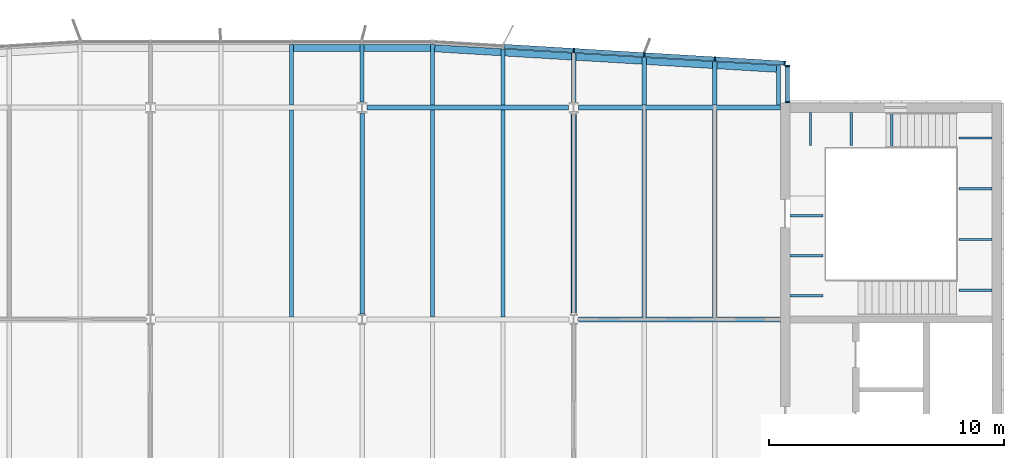
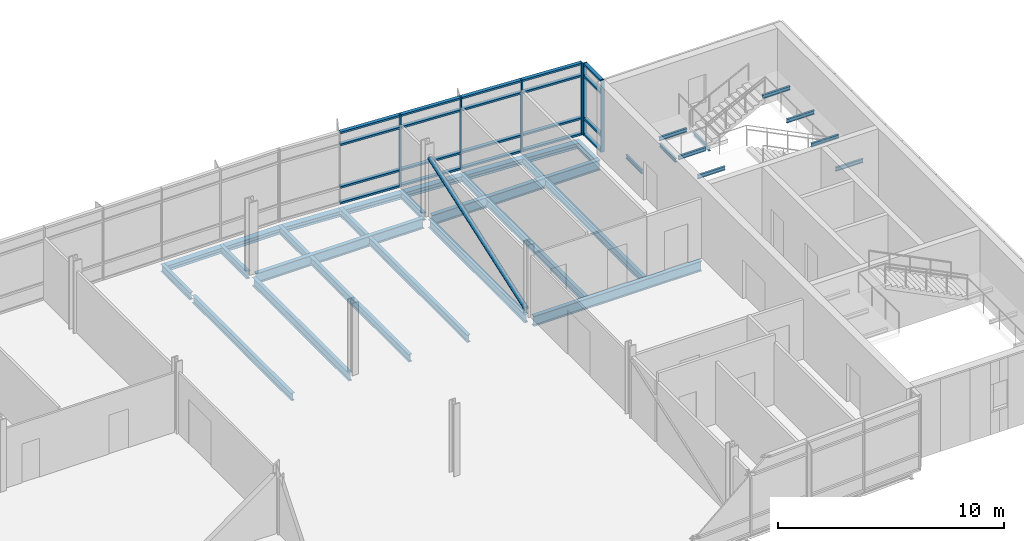
# One storey, part 7 of 20: 35 beams, 27 members, 2 elements without a shape of their own.
"""IFC4 building model written with IfcOpenShell, lengths in metres."""

from ifc_helpers import new_model, si_unit, direction, frame, origin, origin_2d, place, context, subcontext, project, spatial, rectangle, hollow_circle, i_section, extrude, material, material_profile, profile_set, type_object, element, aggregate, save


model = new_model("IFC4")

# Units and contexts
model_context = context("Model", 3, precision=1e-05, world=origin(), true_north=direction((0.0, 1.0)))
body_context = subcontext(model_context, "Body", "Model", "MODEL_VIEW")
ifc_project = project(units=[si_unit("LENGTHUNIT", "METRE"), si_unit("AREAUNIT", "SQUARE_METRE"), si_unit("VOLUMEUNIT", "CUBIC_METRE"), si_unit("PLANEANGLEUNIT", "RADIAN"), si_unit("MASSUNIT", "GRAM", prefix="KILO")], contexts=[model_context])

# Site, building, storey
site_placement = place(None, origin())
site = spatial("IfcSite", under=ifc_project, at=site_placement, CompositionType="ELEMENT")
building_placement = place(site_placement, origin())
building = spatial("IfcBuilding", under=site, at=building_placement, Name="Azimuth Sports and Learning Centre", CompositionType="ELEMENT")
storey_placement = place(building_placement, frame((0.0, 0.0, 44.10009765625)))
storey = spatial("IfcBuildingStorey", under=building, at=storey_placement, Name="L09", CompositionType="ELEMENT", Elevation=44.10009765625)

# Beams
ifc_material_1 = material(Name="Steel S355", Category="steel")
ifc_material_profile_1 = material_profile(ifc_material_1, i_section(OverallWidth=0.10009765625, OverallDepth=0.199951171875, WebThickness=0.005615234375, FlangeThickness=0.008544921875, FilletRadius=0.011962890625, at=origin_2d()), Name="IPE 200")
ifc_profile_set_1 = profile_set([ifc_material_profile_1], Name="Steel S355")
beam_type_1 = type_object("IfcBeamType", Name="Beam IPE 200", PredefinedType="BEAM", material=ifc_profile_set_1)
for number, where, z_axis, x_axis, name in (
    (1, (109.0732421875, 116.800048828125, -0.300048828125), (0.0, -1.0, 0.0), (1.0, 0.0, 0.0), "Landing bracket E2 L09 623"),
    (2, (110.800048828125, 116.800048828125, -0.300048828125), (0.0, -1.0, 0.0), (1.0, 0.0, 0.0), "Landing bracket E2 L09 624"),
    (3, (112.526611328125, 116.800048828125, -0.300048828125), (0.0, -1.0, 0.0), (1.0, 0.0, 0.0), "Landing bracket E2 L09 625"),
    (4, (116.800048828125, 109.23876953125, 1.349853515625), (-1.0, 0.0, 0.0), (0.0, -1.0, 0.0), "Landing bracket E2 L09 626"),
    (5, (116.800048828125, 111.396240234375, 1.349853515625), (-1.0, 0.0, 0.0), (0.0, -1.0, 0.0), "Landing bracket E2 L09 627"),
    (6, (116.800048828125, 113.5537109375, 1.349853515625), (-1.0, 0.0, 0.0), (0.0, -1.0, 0.0), "Landing bracket E2 L09 628"),
    (7, (116.800048828125, 115.711181640625, 1.349853515625), (-1.0, 0.0, 0.0), (0.0, -1.0, 0.0), "Landing bracket E2 L09 629"),
    (8, (108.199951171875, 109.00830078125, 3.599853515625), (1.0, 0.0, 0.0), (0.0, 1.0, 0.0), "Landing bracket E2 L09 630"),
    (9, (108.199951171875, 110.705078125, 3.599853515625), (1.0, 0.0, 0.0), (0.0, 1.0, 0.0), "Landing bracket E2 L09 631"),
    (10, (108.199951171875, 112.401611328125, 3.599853515625), (1.0, 0.0, 0.0), (0.0, 1.0, 0.0), "Landing bracket E2 L09 632"),
):
    element("IfcBeam", number, at=place(storey_placement, frame(where, z_axis=z_axis, x_axis=x_axis)), inside=storey, type_object=beam_type_1, Name=name, PredefinedType="BEAM", context=body_context, shape_type="SweptSolid", body=[
        extrude(i_section(OverallWidth=0.10009765625, OverallDepth=0.199951171875, WebThickness=0.005615234375, FlangeThickness=0.008544921875, FilletRadius=0.011962890625, at=origin_2d()), origin(), (0.0, 0.0, 1.0), 1.41015625),
    ])
ifc_material_2 = material(Name="Steel S355", Category="steel")
ifc_material_profile_2 = material_profile(ifc_material_2, i_section(OverallWidth=0.18994140625, OverallDepth=0.449951171875, WebThickness=0.009521484375, FlangeThickness=0.0146484375, FilletRadius=0.02099609375, at=origin_2d()), Name="IPE 450")
ifc_profile_set_2 = profile_set([ifc_material_profile_2], Name="Steel S355")
beam_type_2 = type_object("IfcBeamType", Name="Beam IPE 450", PredefinedType="BEAM", material=ifc_profile_set_2)
for number, where, z_axis, x_axis, name in (
    (11, (90.0, 108.217529296875, -0.35498046875), (0.0, 1.0, 0.0), (-1.0, 0.0, 0.0), "Tower tie"),
    (12, (99.0, 108.217529296875, -0.35498046875), (0.0, 1.0, 0.0), (-1.0, 0.0, 0.0), "Tower tie"),
):
    element("IfcBeam", number, at=place(storey_placement, frame(where, z_axis=z_axis, x_axis=x_axis)), inside=storey, type_object=beam_type_2, Name=name, PredefinedType="BEAM", context=body_context, shape_type="SweptSolid", body=[
        extrude(i_section(OverallWidth=0.18994140625, OverallDepth=0.449951171875, WebThickness=0.009521484375, FlangeThickness=0.0146484375, FilletRadius=0.02099609375, at=origin_2d()), origin(), (0.0, 0.0, 1.0), 8.54541015625),
    ])
ifc_material_3 = material(Name="Steel S355", Category="steel")
ifc_material_profile_3 = material_profile(ifc_material_3, i_section(OverallWidth=0.2099609375, OverallDepth=0.550048828125, WebThickness=0.010986328125, FlangeThickness=0.01708984375, FilletRadius=0.02392578125, at=origin_2d()), Name="IPE 550")
ifc_profile_set_3 = profile_set([ifc_material_profile_3], Name="Steel S355")
beam_type_3 = type_object("IfcBeamType", Name="Beam IPE 550", PredefinedType="BEAM", material=ifc_profile_set_3)
beam_1_placement = place(storey_placement, frame((99.2060546875, 108.0, -0.405029296875), z_axis=(1.0, 0.0, 0.0), x_axis=(0.0, 1.0, 0.0)))
element("IfcBeam", 13, at=beam_1_placement, inside=storey, type_object=beam_type_3, Name="Tower girder L09", PredefinedType="BEAM", context=body_context, shape_type="SweptSolid", body=[
    extrude(i_section(OverallWidth=0.2099609375, OverallDepth=0.550048828125, WebThickness=0.010986328125, FlangeThickness=0.01708984375, FilletRadius=0.02392578125, at=origin_2d()), origin(), (0.0, 0.0, 1.0), 8.593994140625),
])
beam_2_placement = place(storey_placement, frame((90.2119140625, 117.0, -0.405029296875), z_axis=(1.0, 0.0, 0.0), x_axis=(0.0, 1.0, 0.0)))
element("IfcBeam", 14, at=beam_2_placement, inside=storey, type_object=beam_type_3, Name="Tower girder L09", PredefinedType="BEAM", context=body_context, shape_type="SweptSolid", body=[
    extrude(i_section(OverallWidth=0.2099609375, OverallDepth=0.550048828125, WebThickness=0.010986328125, FlangeThickness=0.01708984375, FilletRadius=0.02392578125, at=origin_2d()), origin(), (0.0, 0.0, 1.0), 8.576171875),
])
beam_3_placement = place(storey_placement, frame((99.2119140625, 117.0, -0.405029296875), z_axis=(1.0, 0.0, 0.0), x_axis=(0.0, 1.0, 0.0)))
element("IfcBeam", 15, at=beam_3_placement, inside=storey, type_object=beam_type_3, Name="Tower girder L09", PredefinedType="BEAM", context=body_context, shape_type="SweptSolid", body=[
    extrude(i_section(OverallWidth=0.2099609375, OverallDepth=0.550048828125, WebThickness=0.010986328125, FlangeThickness=0.01708984375, FilletRadius=0.02392578125, at=origin_2d()), origin(), (0.0, 0.0, 1.0), 8.588134765625),
])

# Member
ifc_material_4 = material(Name="Steel S355", Category="steel")
ifc_material_profile_4 = material_profile(ifc_material_4, hollow_circle(Radius=0.122314453125, WallThickness=0.012451171875, at=origin_2d()), Name="CHS 244.5x12.5")
ifc_profile_set_4 = profile_set([ifc_material_profile_4], Name="Steel S355")
member_type_1 = type_object("IfcMemberType", Name="Brace CHS 244.5x12.5", PredefinedType="BRACE", material=ifc_profile_set_4)
member_1_placement = place(storey_placement, frame((99.0, 108.236328125, 0.169189453125), z_axis=(0.0, 0.94383599609, 0.330414304299), x_axis=(-1.0, 0.0, 0.0)))
element("IfcMember", 16, at=member_1_placement, inside=storey, type_object=member_type_1, Name="Tower brace 12 L09", PredefinedType="BRACE", context=body_context, shape_type="SweptSolid", body=[
    extrude(hollow_circle(Radius=0.122314453125, WallThickness=0.012451171875, at=origin_2d()), origin(), (0.0, 0.0, 1.0), 9.022705078125),
])

# Beams
ifc_material_5 = material(Name="Steel S355", Category="steel")
ifc_material_profile_5 = material_profile(ifc_material_5, i_section(OverallWidth=0.179931640625, OverallDepth=0.39990234375, WebThickness=0.008544921875, FlangeThickness=0.013427734375, FilletRadius=0.02099609375, at=origin_2d()), Name="IPE 400")
ifc_profile_set_5 = profile_set([ifc_material_profile_5], Name="Steel S355")
beam_type_4 = type_object("IfcBeamType", Name="Cantilever stub IPE 400", PredefinedType="JOIST", material=ifc_profile_set_5)
beam_4_placement = place(storey_placement, frame((87.0, 117.10498046875, -0.330078125), z_axis=(0.0, 1.0, 0.0), x_axis=(-1.0, 0.0, 0.0)))
element("IfcBeam", 17, at=beam_4_placement, inside=storey, type_object=beam_type_4, Name="Tower cantilever stub", PredefinedType="JOIST", context=body_context, shape_type="SweptSolid", body=[
    extrude(i_section(OverallWidth=0.179931640625, OverallDepth=0.39990234375, WebThickness=0.008544921875, FlangeThickness=0.013427734375, FilletRadius=0.02099609375, at=origin_2d()), origin(), (0.0, 0.0, 1.0), 2.574951171875),
])
beam_5_placement = place(storey_placement, frame((90.0, 117.237060546875, -0.330078125), z_axis=(0.0, 1.0, 0.0), x_axis=(-1.0, 0.0, 0.0)))
element("IfcBeam", 18, at=beam_5_placement, inside=storey, type_object=beam_type_4, Name="Tower cantilever stub", PredefinedType="JOIST", context=body_context, shape_type="SweptSolid", body=[
    extrude(i_section(OverallWidth=0.179931640625, OverallDepth=0.39990234375, WebThickness=0.008544921875, FlangeThickness=0.013427734375, FilletRadius=0.02099609375, at=origin_2d()), origin(), (0.0, 0.0, 1.0), 2.44287109375),
])
beam_6_placement = place(storey_placement, frame((93.0, 117.10498046875, -0.330078125), z_axis=(0.0, 1.0, 0.0), x_axis=(-1.0, 0.0, 0.0)))
element("IfcBeam", 19, at=beam_6_placement, inside=storey, type_object=beam_type_4, Name="Tower cantilever stub", PredefinedType="JOIST", context=body_context, shape_type="SweptSolid", body=[
    extrude(i_section(OverallWidth=0.179931640625, OverallDepth=0.39990234375, WebThickness=0.008544921875, FlangeThickness=0.013427734375, FilletRadius=0.02099609375, at=origin_2d()), origin(), (0.0, 0.0, 1.0), 2.574951171875),
])
beam_7_placement = place(storey_placement, frame((96.0, 117.10498046875, -0.330078125), z_axis=(0.0, 1.0, 0.0), x_axis=(-1.0, 0.0, 0.0)))
element("IfcBeam", 20, at=beam_7_placement, inside=storey, type_object=beam_type_4, Name="Tower cantilever stub", PredefinedType="JOIST", context=body_context, shape_type="SweptSolid", body=[
    extrude(i_section(OverallWidth=0.179931640625, OverallDepth=0.39990234375, WebThickness=0.008544921875, FlangeThickness=0.013427734375, FilletRadius=0.02099609375, at=origin_2d()), origin(), (0.0, 0.0, 1.0), 2.39501953125),
])
beam_8_placement = place(storey_placement, frame((99.0, 117.237060546875, -0.330078125), z_axis=(0.0, 1.0, 0.0), x_axis=(-1.0, 0.0, 0.0)))
element("IfcBeam", 21, at=beam_8_placement, inside=storey, type_object=beam_type_4, Name="Tower cantilever stub", PredefinedType="JOIST", context=body_context, shape_type="SweptSolid", body=[
    extrude(i_section(OverallWidth=0.179931640625, OverallDepth=0.39990234375, WebThickness=0.008544921875, FlangeThickness=0.013427734375, FilletRadius=0.02099609375, at=origin_2d()), origin(), (0.0, 0.0, 1.0), 2.0830078125),
])
beam_9_placement = place(storey_placement, frame((102.0, 117.10498046875, -0.330078125), z_axis=(0.0, 1.0, 0.0), x_axis=(-1.0, 0.0, 0.0)))
element("IfcBeam", 22, at=beam_9_placement, inside=storey, type_object=beam_type_4, Name="Tower cantilever stub", PredefinedType="JOIST", context=body_context, shape_type="SweptSolid", body=[
    extrude(i_section(OverallWidth=0.179931640625, OverallDepth=0.39990234375, WebThickness=0.008544921875, FlangeThickness=0.013427734375, FilletRadius=0.02099609375, at=origin_2d()), origin(), (0.0, 0.0, 1.0), 2.034912109375),
])
beam_10_placement = place(storey_placement, frame((105.0, 117.10498046875, -0.330078125), z_axis=(0.0, 1.0, 0.0), x_axis=(-1.0, 0.0, 0.0)))
element("IfcBeam", 23, at=beam_10_placement, inside=storey, type_object=beam_type_4, Name="Tower cantilever stub", PredefinedType="JOIST", context=body_context, shape_type="SweptSolid", body=[
    extrude(i_section(OverallWidth=0.179931640625, OverallDepth=0.39990234375, WebThickness=0.008544921875, FlangeThickness=0.013427734375, FilletRadius=0.02099609375, at=origin_2d()), origin(), (0.0, 0.0, 1.0), 1.85498046875),
])
beam_11_placement = place(storey_placement, frame((107.7099609375, 117.10498046875, -0.330078125), z_axis=(0.0, 1.0, 0.0), x_axis=(-1.0, 0.0, 0.0)))
element("IfcBeam", 24, at=beam_11_placement, inside=storey, type_object=beam_type_4, Name="Tower cantilever stub", PredefinedType="JOIST", context=body_context, shape_type="SweptSolid", body=[
    extrude(i_section(OverallWidth=0.179931640625, OverallDepth=0.39990234375, WebThickness=0.008544921875, FlangeThickness=0.013427734375, FilletRadius=0.02099609375, at=origin_2d()), origin(), (0.0, 0.0, 1.0), 1.6923828125),
])
ifc_material_6 = material(Name="Steel S355", Category="steel")
ifc_material_profile_6 = material_profile(ifc_material_6, i_section(OverallWidth=0.300048828125, OverallDepth=0.2900390625, WebThickness=0.008544921875, FlangeThickness=0.013916015625, FilletRadius=0.027099609375, at=origin_2d()), Name="HEA 300")
ifc_profile_set_6 = profile_set([ifc_material_profile_6], Name="Steel S355")
beam_type_5 = type_object("IfcBeamType", Name="Edge beam HEA 300", PredefinedType="SPANDREL", material=ifc_profile_set_6)
for number, where, z_axis, x_axis, name in (
    (25, (87.090087890625, 119.530029296875, -0.275146484375), (1.0, 0.0, 0.0), (0.0, 1.0, 0.0), "Tower edge beam"),
    (26, (90.090087890625, 119.530029296875, -0.275146484375), (1.0, 0.0, 0.0), (0.0, 1.0, 0.0), "Tower edge beam"),
):
    element("IfcBeam", number, at=place(storey_placement, frame(where, z_axis=z_axis, x_axis=x_axis)), inside=storey, type_object=beam_type_5, Name=name, PredefinedType="SPANDREL", context=body_context, shape_type="SweptSolid", body=[
        extrude(i_section(OverallWidth=0.300048828125, OverallDepth=0.2900390625, WebThickness=0.008544921875, FlangeThickness=0.013916015625, FilletRadius=0.027099609375, at=origin_2d()), origin(), (0.0, 0.0, 1.0), 2.81982421875),
    ])
for number, where, z_axis, x_axis, name in (
    (27, (93.090087890625, 119.524658203125, -0.275146484375), (0.998204845466, -0.059892290728, 0.0), (0.059892290728, 0.998204845466, 0.0), "Tower edge beam"),
    (28, (96.090087890625, 119.344482421875, -0.275146484375), (0.998204845466, -0.059892290728, 0.0), (0.059892290728, 0.998204845466, 0.0), "Tower edge beam"),
    (29, (99.090087890625, 119.16455078125, -0.275146484375), (0.998204845466, -0.059892290728, 0.0), (0.059892290728, 0.998204845466, 0.0), "Tower edge beam"),
    (30, (102.090087890625, 118.984619140625, -0.275146484375), (0.998204845466, -0.059892290728, 0.0), (0.059892290728, 0.998204845466, 0.0), "Tower edge beam"),
):
    element("IfcBeam", number, at=place(storey_placement, frame(where, z_axis=z_axis, x_axis=x_axis)), inside=storey, type_object=beam_type_5, Name=name, PredefinedType="SPANDREL", context=body_context, shape_type="SweptSolid", body=[
        extrude(i_section(OverallWidth=0.300048828125, OverallDepth=0.2900390625, WebThickness=0.008544921875, FlangeThickness=0.013916015625, FilletRadius=0.027099609375, at=origin_2d()), origin(), (0.0, 0.0, 1.0), 2.824951171875),
    ])
beam_12_placement = place(storey_placement, frame((105.090087890625, 118.8046875, -0.275146484375), z_axis=(0.998203578329, -0.059913405937, 0.0), x_axis=(0.059913405937, 0.998203578329, 0.0)))
element("IfcBeam", 31, at=beam_12_placement, inside=storey, type_object=beam_type_5, Name="Tower edge beam", PredefinedType="SPANDREL", context=body_context, shape_type="SweptSolid", body=[
    extrude(i_section(OverallWidth=0.300048828125, OverallDepth=0.2900390625, WebThickness=0.008544921875, FlangeThickness=0.013916015625, FilletRadius=0.027099609375, at=origin_2d()), origin(), (0.0, 0.0, 1.0), 2.53466796875),
])
ifc_material_7 = material(Name="Steel S355", Category="steel")
ifc_material_profile_7 = material_profile(ifc_material_7, i_section(OverallWidth=0.179931640625, OverallDepth=0.39990234375, WebThickness=0.008544921875, FlangeThickness=0.013427734375, FilletRadius=0.02099609375, at=origin_2d()), Name="IPE 400")
ifc_profile_set_7 = profile_set([ifc_material_profile_7], Name="Steel S355")
beam_type_6 = type_object("IfcBeamType", Name="Joist IPE 400", PredefinedType="JOIST", material=ifc_profile_set_7)
for number, where, z_axis, x_axis, name in (
    (32, (87.0, 108.10498046875, -0.330078125), (0.0, 1.0, 0.0), (-1.0, 0.0, 0.0), "Tower joist"),
    (33, (93.0, 108.10498046875, -0.330078125), (0.0, 1.0, 0.0), (-1.0, 0.0, 0.0), "Tower joist"),
    (34, (96.0, 108.10498046875, -0.330078125), (0.0, 1.0, 0.0), (-1.0, 0.0, 0.0), "Tower joist"),
    (35, (102.0, 108.10498046875, -0.330078125), (0.0, 1.0, 0.0), (-1.0, 0.0, 0.0), "Tower joist"),
    (36, (105.0, 108.10498046875, -0.330078125), (0.0, 1.0, 0.0), (-1.0, 0.0, 0.0), "Tower joist"),
):
    element("IfcBeam", number, at=place(storey_placement, frame(where, z_axis=z_axis, x_axis=x_axis)), inside=storey, type_object=beam_type_6, Name=name, PredefinedType="JOIST", context=body_context, shape_type="SweptSolid", body=[
        extrude(i_section(OverallWidth=0.179931640625, OverallDepth=0.39990234375, WebThickness=0.008544921875, FlangeThickness=0.013427734375, FilletRadius=0.02099609375, at=origin_2d()), origin(), (0.0, 0.0, 1.0), 8.7900390625),
    ])

# Curtain wall, members
ifc_material_8 = material(Name="Aluminium and glass", Category="aluminium")
curtain_wall_type_1 = type_object("IfcCurtainWallType", Name="Curtain wall tower return 180", PredefinedType="NOTDEFINED", material=ifc_material_8)
curtain_wall_1_placement = place(storey_placement, origin())
curtain_wall_1 = element("IfcCurtainWall", 37, at=curtain_wall_1_placement, inside=storey, type_object=curtain_wall_type_1, Name="Curtain wall CW09-006", PredefinedType="NOTDEFINED")
ifc_material_9 = material(Name="Aluminium", Category="aluminium")
ifc_material_profile_8 = material_profile(ifc_material_9, rectangle(XDim=0.179931640625, YDim=0.06005859375, at=origin_2d()), Name="Mullion 60x180")
ifc_profile_set_8 = profile_set([ifc_material_profile_8], Name="Aluminium")
member_type_2 = type_object("IfcMemberType", Name="Mullion 60x180", PredefinedType="MULLION", material=ifc_profile_set_8)
member_2_placement = place(storey_placement, frame((108.090087890625, 117.22998046875, 0.0), z_axis=(0.0, 0.0, 1.0), x_axis=(-1.0, 0.0, 0.0)))
member_2 = element("IfcMember", 38, at=member_2_placement, type_object=member_type_2, Name="CW09-006 mullion 1", PredefinedType="MULLION", context=body_context, shape_type="SweptSolid", body=[
    extrude(rectangle(XDim=0.179931640625, YDim=0.06005859375, at=origin_2d()), origin(), (0.0, 0.0, 1.0), 3.89990234375),
])
member_3_placement = place(storey_placement, frame((108.090087890625, 118.77001953125, 0.0), z_axis=(0.0, 0.0, 1.0), x_axis=(-1.0, 0.0, 0.0)))
member_3 = element("IfcMember", 39, at=member_3_placement, type_object=member_type_2, Name="CW09-006 mullion 2", PredefinedType="MULLION", context=body_context, shape_type="SweptSolid", body=[
    extrude(rectangle(XDim=0.179931640625, YDim=0.06005859375, at=origin_2d()), origin(), (0.0, 0.0, 1.0), 3.89990234375),
])

ifc_material_10 = material(Name="Aluminium and glass", Category="aluminium")
curtain_wall_type_2 = type_object("IfcCurtainWallType", Name="Curtain wall tower north 180", PredefinedType="NOTDEFINED", material=ifc_material_10)
curtain_wall_2_placement = place(storey_placement, origin())
curtain_wall_2 = element("IfcCurtainWall", 40, at=curtain_wall_2_placement, inside=storey, type_object=curtain_wall_type_2, Name="Curtain wall CW09-007", PredefinedType="NOTDEFINED")
member_4_placement = place(storey_placement, frame((107.975341796875, 118.8916015625, 0.0), z_axis=(0.0, 0.0, 1.0), x_axis=(-0.059891991812, -0.998204863401, 0.0)))
member_4 = element("IfcMember", 41, at=member_4_placement, type_object=member_type_2, Name="CW09-007 mullion 1", PredefinedType="MULLION", context=body_context, shape_type="SweptSolid", body=[
    extrude(rectangle(XDim=0.179931640625, YDim=0.06005859375, at=origin_2d()), origin(), (0.0, 0.0, 1.0), 3.89990234375),
])
member_5_placement = place(storey_placement, frame((105.00537109375, 119.06982421875, 0.0), z_axis=(0.0, 0.0, 1.0), x_axis=(-0.059891991812, -0.998204863401, 0.0)))
member_5 = element("IfcMember", 42, at=member_5_placement, type_object=member_type_2, Name="CW09-007 mullion 2", PredefinedType="MULLION", context=body_context, shape_type="SweptSolid", body=[
    extrude(rectangle(XDim=0.179931640625, YDim=0.06005859375, at=origin_2d()), origin(), (0.0, 0.0, 1.0), 3.89990234375),
])
member_6_placement = place(storey_placement, frame((102.00537109375, 119.249755859375, 0.0), z_axis=(0.0, 0.0, 1.0), x_axis=(-0.059891991812, -0.998204863401, 0.0)))
member_6 = element("IfcMember", 43, at=member_6_placement, type_object=member_type_2, Name="CW09-007 mullion 3", PredefinedType="MULLION", context=body_context, shape_type="SweptSolid", body=[
    extrude(rectangle(XDim=0.179931640625, YDim=0.06005859375, at=origin_2d()), origin(), (0.0, 0.0, 1.0), 3.89990234375),
])
member_7_placement = place(storey_placement, frame((99.00537109375, 119.429931640625, 0.0), z_axis=(0.0, 0.0, 1.0), x_axis=(-0.059891991812, -0.998204863401, 0.0)))
member_7 = element("IfcMember", 44, at=member_7_placement, type_object=member_type_2, Name="CW09-007 mullion 4", PredefinedType="MULLION", context=body_context, shape_type="SweptSolid", body=[
    extrude(rectangle(XDim=0.179931640625, YDim=0.06005859375, at=origin_2d()), origin(), (0.0, 0.0, 1.0), 3.89990234375),
])

# Member
ifc_material_11 = material(Name="Aluminium", Category="aluminium")
ifc_material_profile_9 = material_profile(ifc_material_11, rectangle(XDim=0.179931640625, YDim=0.10009765625, at=origin_2d()), Name="Transom 100x180")
ifc_profile_set_9 = profile_set([ifc_material_profile_9], Name="Aluminium")
member_type_3 = type_object("IfcMemberType", Name="Transom 100x180", PredefinedType="USERDEFINED", material=ifc_profile_set_9)
member_8_placement = place(storey_placement, frame((108.090087890625, 117.260009765625, 0.0498046875), z_axis=(0.0, 1.0, 0.0), x_axis=(-1.0, 0.0, 0.0)))
member_8 = element("IfcMember", 45, at=member_8_placement, type_object=member_type_3, Name="CW09-006 transom 1.1", ObjectType="TRANSOM", PredefinedType="USERDEFINED", context=body_context, shape_type="SweptSolid", body=[
    extrude(rectangle(XDim=0.179931640625, YDim=0.10009765625, at=origin_2d()), origin(), (0.0, 0.0, 1.0), 1.47998046875),
])

member_9_placement = place(storey_placement, frame((108.090087890625, 117.260009765625, 0.89990234375), z_axis=(0.0, 1.0, 0.0), x_axis=(-1.0, 0.0, 0.0)))
member_9 = element("IfcMember", 46, at=member_9_placement, type_object=member_type_3, Name="CW09-006 transom 1.2", ObjectType="TRANSOM", PredefinedType="USERDEFINED", context=body_context, shape_type="SweptSolid", body=[
    extrude(rectangle(XDim=0.179931640625, YDim=0.10009765625, at=origin_2d()), origin(), (0.0, 0.0, 1.0), 1.47998046875),
])

member_10_placement = place(storey_placement, frame((108.090087890625, 117.260009765625, 3.199951171875), z_axis=(0.0, 1.0, 0.0), x_axis=(-1.0, 0.0, 0.0)))
member_10 = element("IfcMember", 47, at=member_10_placement, type_object=member_type_3, Name="CW09-006 transom 1.3", ObjectType="TRANSOM", PredefinedType="USERDEFINED", context=body_context, shape_type="SweptSolid", body=[
    extrude(rectangle(XDim=0.179931640625, YDim=0.10009765625, at=origin_2d()), origin(), (0.0, 0.0, 1.0), 1.47998046875),
])

member_11_placement = place(storey_placement, frame((108.090087890625, 117.260009765625, 3.849853515625), z_axis=(0.0, 1.0, 0.0), x_axis=(-1.0, 0.0, 0.0)))
member_11 = element("IfcMember", 48, at=member_11_placement, type_object=member_type_3, Name="CW09-006 transom 1.4", ObjectType="TRANSOM", PredefinedType="USERDEFINED", context=body_context, shape_type="SweptSolid", body=[
    extrude(rectangle(XDim=0.179931640625, YDim=0.10009765625, at=origin_2d()), origin(), (0.0, 0.0, 1.0), 1.47998046875),
])

aggregate(curtain_wall_1, [member_2, member_3, member_8, member_9, member_10, member_11])

member_12_placement = place(storey_placement, frame((107.945556640625, 118.893310546875, 0.0498046875), z_axis=(-0.998200838052, 0.059959043628, 0.0), x_axis=(-0.059959043628, -0.998200838052, 0.0)))
member_12 = element("IfcMember", 49, at=member_12_placement, type_object=member_type_3, Name="CW09-007 transom 1.1", ObjectType="TRANSOM", PredefinedType="USERDEFINED", context=body_context, shape_type="SweptSolid", body=[
    extrude(rectangle(XDim=0.179931640625, YDim=0.10009765625, at=origin_2d()), origin(), (0.0, 0.0, 1.0), 2.915283203125),
])

member_13_placement = place(storey_placement, frame((107.945556640625, 118.893310546875, 0.89990234375), z_axis=(-0.998200838052, 0.059959043628, 0.0), x_axis=(-0.059959043628, -0.998200838052, 0.0)))
member_13 = element("IfcMember", 50, at=member_13_placement, type_object=member_type_3, Name="CW09-007 transom 1.2", ObjectType="TRANSOM", PredefinedType="USERDEFINED", context=body_context, shape_type="SweptSolid", body=[
    extrude(rectangle(XDim=0.179931640625, YDim=0.10009765625, at=origin_2d()), origin(), (0.0, 0.0, 1.0), 2.915283203125),
])

member_14_placement = place(storey_placement, frame((107.945556640625, 118.893310546875, 3.199951171875), z_axis=(-0.998200838052, 0.059959043628, 0.0), x_axis=(-0.059959043628, -0.998200838052, 0.0)))
member_14 = element("IfcMember", 51, at=member_14_placement, type_object=member_type_3, Name="CW09-007 transom 1.3", ObjectType="TRANSOM", PredefinedType="USERDEFINED", context=body_context, shape_type="SweptSolid", body=[
    extrude(rectangle(XDim=0.179931640625, YDim=0.10009765625, at=origin_2d()), origin(), (0.0, 0.0, 1.0), 2.915283203125),
])

member_15_placement = place(storey_placement, frame((107.945556640625, 118.893310546875, 3.849853515625), z_axis=(-0.998200838052, 0.059959043628, 0.0), x_axis=(-0.059959043628, -0.998200838052, 0.0)))
member_15 = element("IfcMember", 52, at=member_15_placement, type_object=member_type_3, Name="CW09-007 transom 1.4", ObjectType="TRANSOM", PredefinedType="USERDEFINED", context=body_context, shape_type="SweptSolid", body=[
    extrude(rectangle(XDim=0.179931640625, YDim=0.10009765625, at=origin_2d()), origin(), (0.0, 0.0, 1.0), 2.915283203125),
])

member_16_placement = place(storey_placement, frame((104.975341796875, 119.071533203125, 0.0498046875), z_axis=(-0.998202465912, 0.059931936792, 0.0), x_axis=(-0.059931936792, -0.998202465912, 0.0)))
member_16 = element("IfcMember", 53, at=member_16_placement, type_object=member_type_3, Name="CW09-007 transom 2.1", ObjectType="TRANSOM", PredefinedType="USERDEFINED", context=body_context, shape_type="SweptSolid", body=[
    extrude(rectangle(XDim=0.179931640625, YDim=0.10009765625, at=origin_2d()), origin(), (0.0, 0.0, 1.0), 2.9453125),
])

member_17_placement = place(storey_placement, frame((104.975341796875, 119.071533203125, 0.89990234375), z_axis=(-0.998202465912, 0.059931936792, 0.0), x_axis=(-0.059931936792, -0.998202465912, 0.0)))
member_17 = element("IfcMember", 54, at=member_17_placement, type_object=member_type_3, Name="CW09-007 transom 2.2", ObjectType="TRANSOM", PredefinedType="USERDEFINED", context=body_context, shape_type="SweptSolid", body=[
    extrude(rectangle(XDim=0.179931640625, YDim=0.10009765625, at=origin_2d()), origin(), (0.0, 0.0, 1.0), 2.9453125),
])

member_18_placement = place(storey_placement, frame((104.975341796875, 119.071533203125, 3.199951171875), z_axis=(-0.998202465912, 0.059931936792, 0.0), x_axis=(-0.059931936792, -0.998202465912, 0.0)))
member_18 = element("IfcMember", 55, at=member_18_placement, type_object=member_type_3, Name="CW09-007 transom 2.3", ObjectType="TRANSOM", PredefinedType="USERDEFINED", context=body_context, shape_type="SweptSolid", body=[
    extrude(rectangle(XDim=0.179931640625, YDim=0.10009765625, at=origin_2d()), origin(), (0.0, 0.0, 1.0), 2.9453125),
])

member_19_placement = place(storey_placement, frame((104.975341796875, 119.071533203125, 3.849853515625), z_axis=(-0.998202465912, 0.059931936792, 0.0), x_axis=(-0.059931936792, -0.998202465912, 0.0)))
member_19 = element("IfcMember", 56, at=member_19_placement, type_object=member_type_3, Name="CW09-007 transom 2.4", ObjectType="TRANSOM", PredefinedType="USERDEFINED", context=body_context, shape_type="SweptSolid", body=[
    extrude(rectangle(XDim=0.179931640625, YDim=0.10009765625, at=origin_2d()), origin(), (0.0, 0.0, 1.0), 2.9453125),
])

member_20_placement = place(storey_placement, frame((101.975341796875, 119.251708984375, 0.0498046875), z_axis=(-0.998207421552, 0.059849340505, 0.0), x_axis=(-0.059849340505, -0.998207421552, 0.0)))
member_20 = element("IfcMember", 57, at=member_20_placement, type_object=member_type_3, Name="CW09-007 transom 3.1", ObjectType="TRANSOM", PredefinedType="USERDEFINED", context=body_context, shape_type="SweptSolid", body=[
    extrude(rectangle(XDim=0.179931640625, YDim=0.10009765625, at=origin_2d()), origin(), (0.0, 0.0, 1.0), 2.9453125),
])

member_21_placement = place(storey_placement, frame((101.975341796875, 119.251708984375, 0.89990234375), z_axis=(-0.998207421552, 0.059849340505, 0.0), x_axis=(-0.059849340505, -0.998207421552, 0.0)))
member_21 = element("IfcMember", 58, at=member_21_placement, type_object=member_type_3, Name="CW09-007 transom 3.2", ObjectType="TRANSOM", PredefinedType="USERDEFINED", context=body_context, shape_type="SweptSolid", body=[
    extrude(rectangle(XDim=0.179931640625, YDim=0.10009765625, at=origin_2d()), origin(), (0.0, 0.0, 1.0), 2.9453125),
])

member_22_placement = place(storey_placement, frame((101.975341796875, 119.251708984375, 3.199951171875), z_axis=(-0.998207421552, 0.059849340505, 0.0), x_axis=(-0.059849340505, -0.998207421552, 0.0)))
member_22 = element("IfcMember", 59, at=member_22_placement, type_object=member_type_3, Name="CW09-007 transom 3.3", ObjectType="TRANSOM", PredefinedType="USERDEFINED", context=body_context, shape_type="SweptSolid", body=[
    extrude(rectangle(XDim=0.179931640625, YDim=0.10009765625, at=origin_2d()), origin(), (0.0, 0.0, 1.0), 2.9453125),
])

member_23_placement = place(storey_placement, frame((101.975341796875, 119.251708984375, 3.849853515625), z_axis=(-0.998207421552, 0.059849340505, 0.0), x_axis=(-0.059849340505, -0.998207421552, 0.0)))
member_23 = element("IfcMember", 60, at=member_23_placement, type_object=member_type_3, Name="CW09-007 transom 3.4", ObjectType="TRANSOM", PredefinedType="USERDEFINED", context=body_context, shape_type="SweptSolid", body=[
    extrude(rectangle(XDim=0.179931640625, YDim=0.10009765625, at=origin_2d()), origin(), (0.0, 0.0, 1.0), 2.9453125),
])

member_24_placement = place(storey_placement, frame((98.975341796875, 119.431640625, 0.0498046875), z_axis=(-0.998202465912, 0.059931936792, 0.0), x_axis=(-0.059931936792, -0.998202465912, 0.0)))
member_24 = element("IfcMember", 61, at=member_24_placement, type_object=member_type_3, Name="CW09-007 transom 4.1", ObjectType="TRANSOM", PredefinedType="USERDEFINED", context=body_context, shape_type="SweptSolid", body=[
    extrude(rectangle(XDim=0.179931640625, YDim=0.10009765625, at=origin_2d()), origin(), (0.0, 0.0, 1.0), 2.9453125),
])

member_25_placement = place(storey_placement, frame((98.975341796875, 119.431640625, 0.89990234375), z_axis=(-0.998202465912, 0.059931936792, 0.0), x_axis=(-0.059931936792, -0.998202465912, 0.0)))
member_25 = element("IfcMember", 62, at=member_25_placement, type_object=member_type_3, Name="CW09-007 transom 4.2", ObjectType="TRANSOM", PredefinedType="USERDEFINED", context=body_context, shape_type="SweptSolid", body=[
    extrude(rectangle(XDim=0.179931640625, YDim=0.10009765625, at=origin_2d()), origin(), (0.0, 0.0, 1.0), 2.9453125),
])

member_26_placement = place(storey_placement, frame((98.975341796875, 119.431640625, 3.199951171875), z_axis=(-0.998202465912, 0.059931936792, 0.0), x_axis=(-0.059931936792, -0.998202465912, 0.0)))
member_26 = element("IfcMember", 63, at=member_26_placement, type_object=member_type_3, Name="CW09-007 transom 4.3", ObjectType="TRANSOM", PredefinedType="USERDEFINED", context=body_context, shape_type="SweptSolid", body=[
    extrude(rectangle(XDim=0.179931640625, YDim=0.10009765625, at=origin_2d()), origin(), (0.0, 0.0, 1.0), 2.9453125),
])

member_27_placement = place(storey_placement, frame((98.975341796875, 119.431640625, 3.849853515625), z_axis=(-0.998202465912, 0.059931936792, 0.0), x_axis=(-0.059931936792, -0.998202465912, 0.0)))
member_27 = element("IfcMember", 64, at=member_27_placement, type_object=member_type_3, Name="CW09-007 transom 4.4", ObjectType="TRANSOM", PredefinedType="USERDEFINED", context=body_context, shape_type="SweptSolid", body=[
    extrude(rectangle(XDim=0.179931640625, YDim=0.10009765625, at=origin_2d()), origin(), (0.0, 0.0, 1.0), 2.9453125),
])

aggregate(curtain_wall_2, [member_4, member_5, member_6, member_7, member_12, member_13, member_14, member_15, member_16, member_17, member_18, member_19, member_20, member_21, member_22, member_23, member_24, member_25, member_26, member_27])

save(model, "model.ifc")
